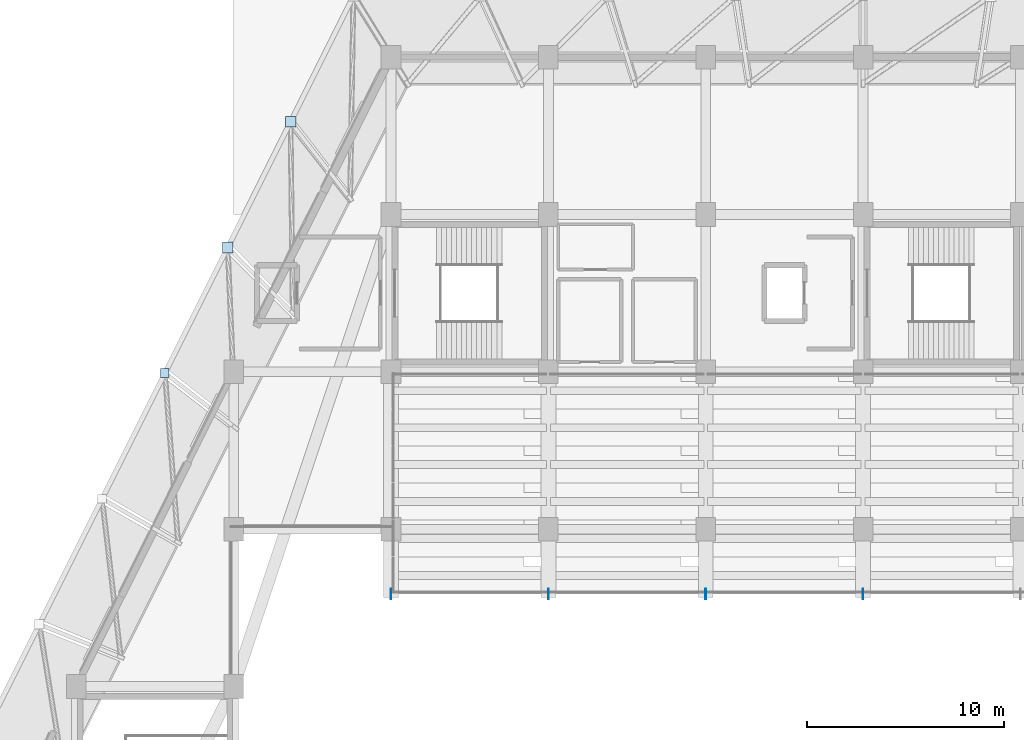
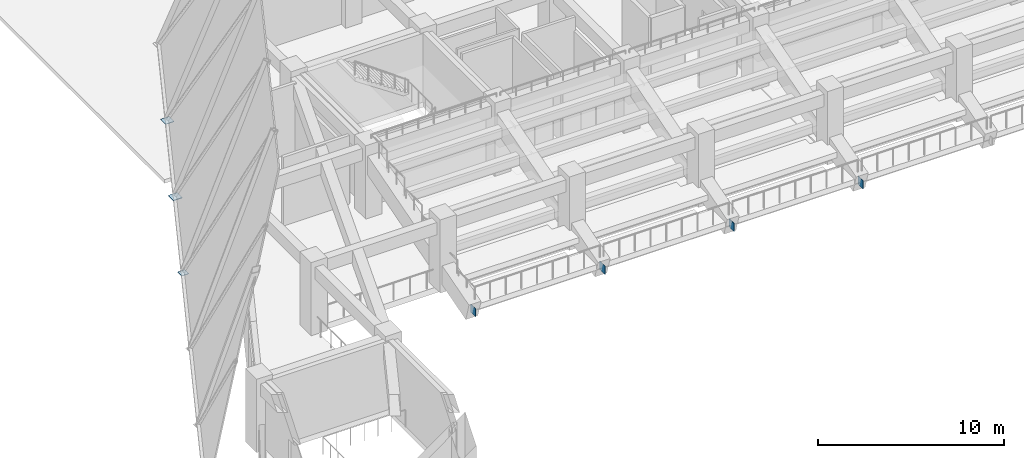
# One storey, part 12 of 24: 7 plates.
"""IFC4 building model written with IfcOpenShell, lengths in metres."""

from ifc_helpers import new_model, si_unit, direction, frame, origin, origin_2d, place, context, subcontext, project, spatial, rectangle, extrude, material, layer, layer_set, type_object, element, save


model = new_model("IFC4")

# Units and contexts
model_context = context("Model", 3, precision=1e-05, world=origin(), true_north=direction((0.0, 1.0)))
body_context = subcontext(model_context, "Body", "Model", "MODEL_VIEW")
ifc_project = project(units=[si_unit("LENGTHUNIT", "METRE"), si_unit("AREAUNIT", "SQUARE_METRE"), si_unit("VOLUMEUNIT", "CUBIC_METRE"), si_unit("PLANEANGLEUNIT", "RADIAN"), si_unit("MASSUNIT", "GRAM", prefix="KILO")], contexts=[model_context])

# Site, building, storey
site_placement = place(None, origin())
site = spatial("IfcSite", under=ifc_project, at=site_placement, CompositionType="ELEMENT")
building_placement = place(site_placement, origin())
building = spatial("IfcBuilding", under=site, at=building_placement, Name="Tazarka Park Arena", CompositionType="ELEMENT")
storey_placement = place(building_placement, frame((0.0, 0.0, 15.0)))
storey = spatial("IfcBuildingStorey", under=building, at=storey_placement, Name="L03", CompositionType="ELEMENT", Elevation=15.0)

# Plates
ifc_material_1 = material(Name="Steel S460", Category="steel")
ifc_layer_1 = layer(ifc_material_1, 0.031982421875, Name="Steel S460")
ifc_layer_set_1 = layer_set([ifc_layer_1], Name="Steel S460")
plate_type_1 = type_object("IfcPlateType", Name="PLT-PL-12", PredefinedType="USERDEFINED", material=ifc_layer_set_1)
for number, where, z_axis, x_axis, name in (
    (1, (64.0, 84.699951171875, 0.060546875), (0.0, 0.0, 1.0), (1.0, 0.0, 0.0), "RKP-N-08-2"),
    (2, (72.0, 84.699951171875, 0.060546875), (0.0, 0.0, 1.0), (1.0, 0.0, 0.0), "RKP-N-09-2"),
    (3, (80.0, 84.699951171875, 0.060546875), (0.0, 0.0, 1.0), (1.0, 0.0, 0.0), "RKP-N-10-2"),
    (4, (88.0, 84.699951171875, 0.060546875), (0.0, 0.0, 1.0), (1.0, 0.0, 0.0), "RKP-N-11-2"),
):
    element("IfcPlate", number, at=place(storey_placement, frame(where, z_axis=z_axis, x_axis=x_axis)), inside=storey, type_object=plate_type_1, Name=name, ObjectType="STIFFENER", PredefinedType="USERDEFINED", context=body_context, shape_type="SweptSolid", body=[
        extrude(rectangle(XDim=0.031982421875, YDim=0.5400390625, at=origin_2d()), origin(), (0.0, 0.0, 1.0), 0.5400390625),
    ])
ifc_material_2 = material(Name="Steel S460", Category="steel")
ifc_layer_2 = layer(ifc_material_2, 0.028076171875, Name="Steel S460")
ifc_layer_set_2 = layer_set([ifc_layer_2], Name="Steel S460")
plate_type_2 = type_object("IfcPlateType", Name="PLT-PL-13", PredefinedType="USERDEFINED", material=ifc_layer_set_2)
plate_1_placement = place(storey_placement, frame((52.5029296875, 95.9375, -0.01416015625), z_axis=(0.0, 0.0, 1.0), x_axis=(1.0, 0.0, 0.0)))
element("IfcPlate", 5, at=plate_1_placement, inside=storey, type_object=plate_type_2, Name="GMP-W-35", ObjectType="STIFFENER", PredefinedType="USERDEFINED", context=body_context, shape_type="SweptSolid", body=[
    extrude(rectangle(XDim=0.43994140625, YDim=0.43994140625, at=origin_2d()), origin(), (0.0, 0.0, 1.0), 0.028076171875),
])
ifc_material_3 = material(Name="Steel S460", Category="steel")
ifc_layer_3 = layer(ifc_material_3, 0.037109375, Name="Steel S460")
ifc_layer_set_3 = layer_set([ifc_layer_3], Name="Steel S460")
plate_type_3 = type_object("IfcPlateType", Name="PLT-PL-20", PredefinedType="USERDEFINED", material=ifc_layer_set_3)
plate_2_placement = place(storey_placement, frame((58.890380859375, 108.71240234375, -0.0185546875), z_axis=(0.0, 0.0, 1.0), x_axis=(1.0, 0.0, 0.0)))
element("IfcPlate", 6, at=plate_2_placement, inside=storey, type_object=plate_type_3, Name="GMP-W-33", ObjectType="STIFFENER", PredefinedType="USERDEFINED", context=body_context, shape_type="SweptSolid", body=[
    extrude(rectangle(XDim=0.530029296875, YDim=0.530029296875, at=origin_2d()), origin(), (0.0, 0.0, 1.0), 0.037109375),
])
ifc_material_4 = material(Name="Steel S460", Category="steel")
ifc_layer_4 = layer(ifc_material_4, 0.0390625, Name="Steel S460")
ifc_layer_set_4 = layer_set([ifc_layer_4], Name="Steel S460")
plate_type_4 = type_object("IfcPlateType", Name="PLT-PL-21", PredefinedType="USERDEFINED", material=ifc_layer_set_4)
plate_3_placement = place(storey_placement, frame((55.696533203125, 102.324951171875, -0.01953125), z_axis=(0.0, 0.0, 1.0), x_axis=(1.0, 0.0, 0.0)))
element("IfcPlate", 7, at=plate_3_placement, inside=storey, type_object=plate_type_4, Name="GMP-W-34", ObjectType="STIFFENER", PredefinedType="USERDEFINED", context=body_context, shape_type="SweptSolid", body=[
    extrude(rectangle(XDim=0.550048828125, YDim=0.550048828125, at=origin_2d()), origin(), (0.0, 0.0, 1.0), 0.0390625),
])

save(model, "model.ifc")
